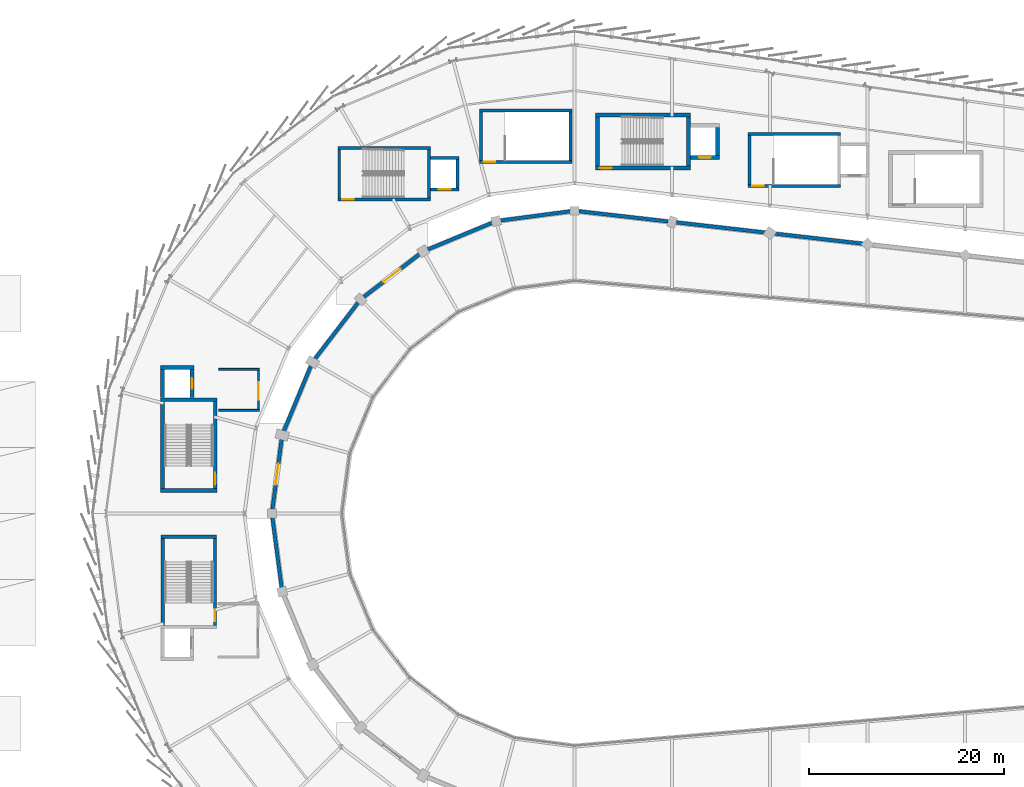
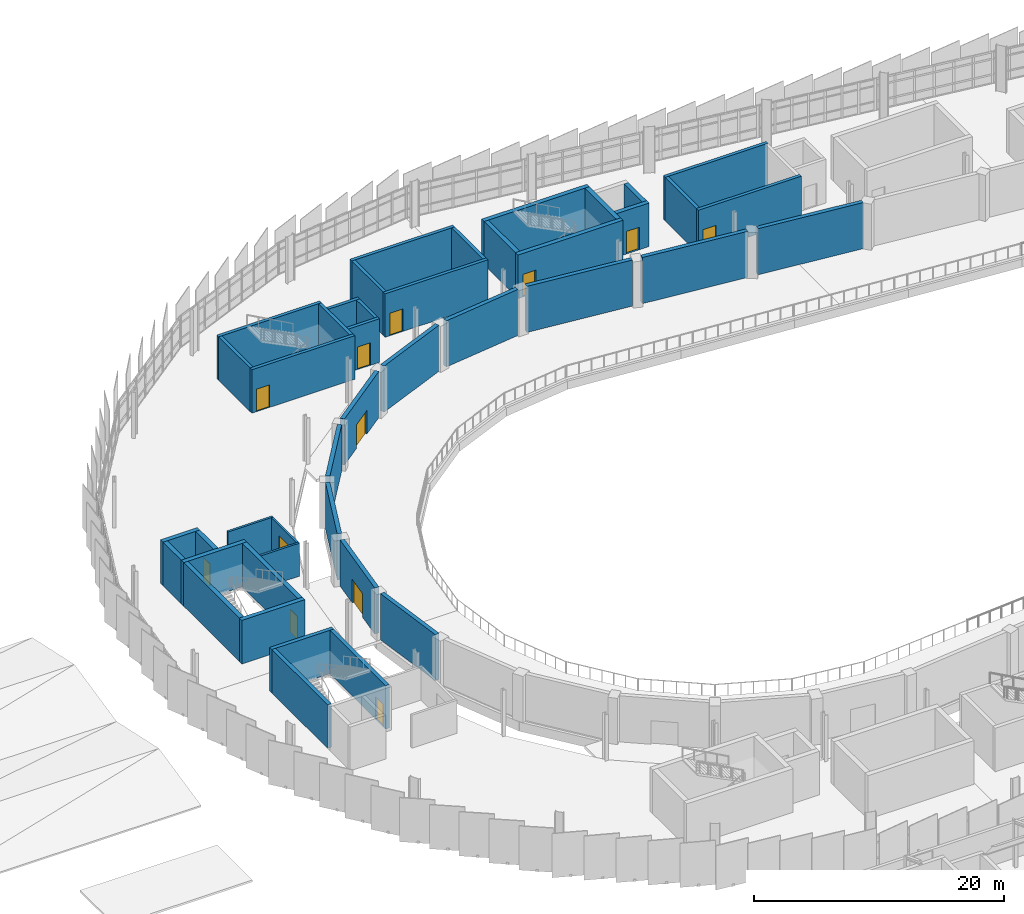
# One storey, part 77 of 87: 43 walls, 12 doors, 12 openings.
"""IFC4 building model written with IfcOpenShell, lengths in metres."""

from ifc_helpers import new_model, si_unit, direction, frame, frame_2d, origin, place, context, subcontext, project, spatial, rectangle, extrude, material, layer, layer_set, type_object, element, fill, save


model = new_model("IFC4")

# Units and contexts
model_context = context("Model", 3, precision=1e-05, world=origin(), true_north=direction((0.0, 1.0)))
body_context = subcontext(model_context, "Body", "Model", "MODEL_VIEW")
ifc_project = project(units=[si_unit("LENGTHUNIT", "METRE"), si_unit("AREAUNIT", "SQUARE_METRE"), si_unit("VOLUMEUNIT", "CUBIC_METRE"), si_unit("PLANEANGLEUNIT", "RADIAN"), si_unit("MASSUNIT", "GRAM", prefix="KILO")], contexts=[model_context])

# Site, building, storey
site_placement = place(None, origin())
site = spatial("IfcSite", under=ifc_project, at=site_placement, CompositionType="ELEMENT")
building_placement = place(site_placement, origin())
building = spatial("IfcBuilding", under=site, at=building_placement, Name="Sohan Crest Arena", CompositionType="ELEMENT")
storey_placement = place(building_placement, frame((0.0, 0.0, 18.0)))
storey = spatial("IfcBuildingStorey", under=building, at=storey_placement, Name="L04", CompositionType="ELEMENT", Elevation=18.0)

# Walls
ifc_material_1 = material(Name="Acoustic insulated bowl drum enclosure wall", Category="masonry")
ifc_layer_1 = layer(ifc_material_1, 0.3701171875, Name="Acoustic insulated bowl drum enclosure wall")
ifc_layer_set_1 = layer_set([ifc_layer_1], Name="Acoustic insulated bowl drum enclosure wall")
wall_type_1 = type_object("IfcWallType", Name="WAL-EW05", PredefinedType="SOLIDWALL", material=ifc_layer_set_1)
wall_1_placement = place(storey_placement, frame((97.56396484375, 108.943115234375, 0.0), z_axis=(0.0, 0.0, 1.0), x_axis=(-0.991432160885, -0.130622625772, 0.0)))
element("IfcWall", 1, at=wall_1_placement, inside=storey, type_object=wall_type_1, Name="Acoustic bowl drum wall BW-L04-01", PredefinedType="SOLIDWALL", context=body_context, shape_type="SweptSolid", body=[
    extrude(rectangle(XDim=7.212646484375, YDim=0.3701171875, at=frame_2d((3.6064453125, 0.0))), origin(), (0.0, 0.0, 1.0), 4.5),
])
wall_2_placement = place(storey_placement, frame((89.570068359375, 107.77587890625, 0.0), z_axis=(0.0, 0.0, 1.0), x_axis=(-0.923828261086, -0.382807189089, 0.0)))
element("IfcWall", 2, at=wall_2_placement, inside=storey, type_object=wall_type_1, Name="Acoustic bowl drum wall BW-L04-02", PredefinedType="SOLIDWALL", context=body_context, shape_type="SweptSolid", body=[
    extrude(rectangle(XDim=7.21240234375, YDim=0.3701171875, at=frame_2d((3.606201171875, 0.0))), origin(), (0.0, 0.0, 1.0), 4.5),
])

# Wall, opening, door
wall_3_placement = place(storey_placement, frame((82.15087890625, 104.5791015625, 0.0), z_axis=(0.0, 0.0, 1.0), x_axis=(-0.793318070515, -0.608807390719, 0.0)))
wall_3 = element("IfcWall", 3, at=wall_3_placement, inside=storey, type_object=wall_type_1, Name="Acoustic bowl drum wall BW-L04-03", PredefinedType="SOLIDWALL", context=body_context, shape_type="SweptSolid", body=[
    extrude(rectangle(XDim=7.212646484375, YDim=0.3701171875, at=frame_2d((3.6064453125, 0.0))), origin(), (0.0, 0.0, 1.0), 4.5),
])
opening_1_placement = place(wall_3_placement, frame((2.506103515625, 0.0, 0.0)))
opening_1 = element("IfcOpeningElement", 4, at=opening_1_placement, cuts=wall_3, Name="Opening VD-L04-03", PredefinedType="OPENING", context=body_context, shape_type="SweptSolid", body=[
    extrude(rectangle(XDim=2.199951171875, YDim=2.300048828125, at=frame_2d((1.10009765625, 1.14990234375))), frame((0.0, 0.195068359375, 0.0), z_axis=(0.0, -1.0, 0.0), x_axis=(1.0, 0.0, 0.0)), (0.0, 0.0, 1.0), 0.39013671875),
])
ifc_material_2 = material(Name="Fire-rated steel double escape door", Category="steel")
door_type_1 = type_object("IfcDoorType", Name="DR-FD01", OperationType="DOUBLE_DOOR_SINGLE_SWING", PredefinedType="DOOR", material=ifc_material_2)
door_1_placement = place(opening_1_placement, origin())
door_1 = element("IfcDoor", 5, at=door_1_placement, inside=storey, type_object=door_type_1, Name="Bowl vomitory portal fire door VD-L04-03", OperationType="DOUBLE_DOOR_SINGLE_SWING", OverallHeight=2.300048828125, OverallWidth=2.199951171875, PredefinedType="DOOR", context=body_context, shape_type="SweptSolid", body=[
    extrude(rectangle(XDim=2.199951171875, YDim=2.300048828125, at=frame_2d((1.10009765625, 1.14990234375))), frame((0.0, 0.02490234375, 0.0), z_axis=(0.0, -1.0, 0.0), x_axis=(1.0, 0.0, 0.0)), (0.0, 0.0, 1.0), 0.050048828125),
])
fill(opening_1, door_1)

# Walls
wall_4_placement = place(storey_placement, frame((75.81201171875, 99.571044921875, 0.0), z_axis=(0.0, 0.0, 1.0), x_axis=(-0.608807390719, -0.793318070515, 0.0)))
element("IfcWall", 6, at=wall_4_placement, inside=storey, type_object=wall_type_1, Name="Acoustic bowl drum wall BW-L04-04", PredefinedType="SOLIDWALL", context=body_context, shape_type="SweptSolid", body=[
    extrude(rectangle(XDim=7.212646484375, YDim=0.3701171875, at=frame_2d((3.6064453125, 0.0))), origin(), (0.0, 0.0, 1.0), 4.5),
])
wall_5_placement = place(storey_placement, frame((70.985107421875, 93.093017578125, 0.0), z_axis=(0.0, 0.0, 1.0), x_axis=(-0.382807189089, -0.923828261086, 0.0)))
element("IfcWall", 7, at=wall_5_placement, inside=storey, type_object=wall_type_1, Name="Acoustic bowl drum wall BW-L04-05", PredefinedType="SOLIDWALL", context=body_context, shape_type="SweptSolid", body=[
    extrude(rectangle(XDim=7.21240234375, YDim=0.3701171875, at=frame_2d((3.606201171875, 0.0))), origin(), (0.0, 0.0, 1.0), 4.5),
])

# Wall, opening, door
wall_6_placement = place(storey_placement, frame((67.9990234375, 85.5869140625, 0.0), z_axis=(0.0, 0.0, 1.0), x_axis=(-0.130622625772, -0.991432160885, 0.0)))
wall_6 = element("IfcWall", 8, at=wall_6_placement, inside=storey, type_object=wall_type_1, Name="Acoustic bowl drum wall BW-L04-06", PredefinedType="SOLIDWALL", context=body_context, shape_type="SweptSolid", body=[
    extrude(rectangle(XDim=7.212646484375, YDim=0.3701171875, at=frame_2d((3.6064453125, 0.0))), origin(), (0.0, 0.0, 1.0), 4.5),
])
opening_2_placement = place(wall_6_placement, frame((2.506103515625, 0.0, 0.0)))
opening_2 = element("IfcOpeningElement", 9, at=opening_2_placement, cuts=wall_6, Name="Opening VD-L04-06", PredefinedType="OPENING", context=body_context, shape_type="SweptSolid", body=[
    extrude(rectangle(XDim=2.199951171875, YDim=2.300048828125, at=frame_2d((1.10009765625, 1.14990234375))), frame((0.0, 0.195068359375, 0.0), z_axis=(0.0, -1.0, 0.0), x_axis=(1.0, 0.0, 0.0)), (0.0, 0.0, 1.0), 0.39013671875),
])
door_2_placement = place(opening_2_placement, origin())
door_2 = element("IfcDoor", 10, at=door_2_placement, inside=storey, type_object=door_type_1, Name="Bowl vomitory portal fire door VD-L04-06", OperationType="DOUBLE_DOOR_SINGLE_SWING", OverallHeight=2.300048828125, OverallWidth=2.199951171875, PredefinedType="DOOR", context=body_context, shape_type="SweptSolid", body=[
    extrude(rectangle(XDim=2.199951171875, YDim=2.300048828125, at=frame_2d((1.10009765625, 1.14990234375))), frame((0.0, 0.02490234375, 0.0), z_axis=(0.0, -1.0, 0.0), x_axis=(1.0, 0.0, 0.0)), (0.0, 0.0, 1.0), 0.050048828125),
])
fill(opening_2, door_2)

# Walls
wall_7_placement = place(storey_placement, frame((67.056884765625, 77.56396484375, 0.0), z_axis=(0.0, 0.0, 1.0), x_axis=(0.130622625772, -0.991432160885, 0.0)))
element("IfcWall", 11, at=wall_7_placement, inside=storey, type_object=wall_type_1, Name="Acoustic bowl drum wall BW-L04-07", PredefinedType="SOLIDWALL", context=body_context, shape_type="SweptSolid", body=[
    extrude(rectangle(XDim=7.212646484375, YDim=0.3701171875, at=frame_2d((3.6064453125, 0.0))), origin(), (0.0, 0.0, 1.0), 4.5),
])
for number, where, z_axis, x_axis, name in (
    (12, (127.56298828125, 105.62109375, 0.0), (0.0, 0.0, 1.0), (-0.993532672656, 0.113546591161, 0.0), "Acoustic bowl drum wall BW-L04-32"),
    (13, (117.56298828125, 106.763916015625, 0.0), (0.0, 0.0, 1.0), (-0.993532672656, 0.113546591161, 0.0), "Acoustic bowl drum wall BW-L04-33"),
    (14, (107.56298828125, 107.906982421875, 0.0), (0.0, 0.0, 1.0), (-0.993532672656, 0.113546591161, 0.0), "Acoustic bowl drum wall BW-L04-34"),
):
    element("IfcWall", number, at=place(storey_placement, frame(where, z_axis=z_axis, x_axis=x_axis)), inside=storey, type_object=wall_type_1, Name=name, PredefinedType="SOLIDWALL", context=body_context, shape_type="SweptSolid", body=[
        extrude(rectangle(XDim=9.185302734375, YDim=0.3701171875, at=frame_2d((4.5927734375, 0.0))), origin(), (0.0, 0.0, 1.0), 4.5),
    ])
ifc_material_3 = material(Name="Fire-rated masonry blockwork compartment wall", Category="masonry")
ifc_layer_2 = layer(ifc_material_3, 0.199951171875, Name="Fire-rated masonry blockwork compartment wall")
ifc_layer_set_2 = layer_set([ifc_layer_2], Name="Fire-rated masonry blockwork compartment wall")
wall_type_2 = type_object("IfcWallType", Name="WAL-FW01", PredefinedType="PARTITIONING", material=ifc_layer_set_2)
for number, where, z_axis, x_axis, name in (
    (15, (61.5400390625, 88.550048828125, 0.0), (0.0, 0.0, 1.0), (1.0, 0.0, 0.0), "Interior partition wall PW-0128"),
    (16, (61.5400390625, 92.75, 0.0), (0.0, 0.0, 1.0), (1.0, 0.0, 0.0), "Interior partition wall PW-0129"),
):
    element("IfcWall", number, at=place(storey_placement, frame(where, z_axis=z_axis, x_axis=x_axis)), inside=storey, type_object=wall_type_2, Name=name, PredefinedType="PARTITIONING", context=body_context, shape_type="SweptSolid", body=[
        extrude(rectangle(XDim=4.179931640625, YDim=0.199951171875, at=frame_2d((2.08984375, 0.0))), origin(), (0.0, 0.0, 1.0), 3.219970703125),
    ])

# Wall, opening, door
wall_8_placement = place(storey_placement, frame((65.6201171875, 88.669921875, 0.0), z_axis=(0.0, 0.0, 1.0), x_axis=(0.0, 1.0, 0.0)))
wall_8 = element("IfcWall", 17, at=wall_8_placement, inside=storey, type_object=wall_type_2, Name="Interior partition wall PW-0130", PredefinedType="PARTITIONING", context=body_context, shape_type="SweptSolid", body=[
    extrude(rectangle(XDim=3.9599609375, YDim=0.199951171875, at=frame_2d((1.97998046875, 0.0))), origin(), (0.0, 0.0, 1.0), 3.219970703125),
])
opening_3_placement = place(wall_8_placement, frame((0.949951171875, 0.0, 0.0)))
opening_3 = element("IfcOpeningElement", 18, at=opening_3_placement, cuts=wall_8, Name="Opening FFL-0039", PredefinedType="OPENING", context=body_context, shape_type="SweptSolid", body=[
    extrude(rectangle(XDim=1.800048828125, YDim=2.199951171875, at=frame_2d((0.89990234375, 1.10009765625))), frame((0.0, 0.10986328125, 0.0), z_axis=(0.0, -1.0, 0.0), x_axis=(1.0, 0.0, 0.0)), (0.0, 0.0, 1.0), 0.219970703125),
])
ifc_material_4 = material(Name="Fire-rated timber-faced lobby double door", Category="wood")
door_type_2 = type_object("IfcDoorType", Name="DR-FD03", OperationType="DOUBLE_DOOR_SINGLE_SWING", PredefinedType="DOOR", material=ifc_material_4)
door_3_placement = place(opening_3_placement, origin())
door_3 = element("IfcDoor", 19, at=door_3_placement, inside=storey, type_object=door_type_2, Name="Firefighting lift lobby door FL02 FFL-0039", OperationType="DOUBLE_DOOR_SINGLE_SWING", OverallHeight=2.199951171875, OverallWidth=1.800048828125, PredefinedType="DOOR", context=body_context, shape_type="SweptSolid", body=[
    extrude(rectangle(XDim=1.800048828125, YDim=2.199951171875, at=frame_2d((0.89990234375, 1.10009765625))), frame((0.0, 0.02490234375, 0.0), z_axis=(0.0, -1.0, 0.0), x_axis=(1.0, 0.0, 0.0)), (0.0, 0.0, 1.0), 0.050048828125),
])
fill(opening_3, door_3)

# Walls
ifc_material_5 = material(Name="Concrete C40/50", Category="concrete")
ifc_layer_3 = layer(ifc_material_5, 0.300048828125, Name="Concrete C40/50")
ifc_layer_set_3 = layer_set([ifc_layer_3], Name="Concrete C40/50")
wall_type_3 = type_object("IfcWallType", Name="WAL-SW01", PredefinedType="SHEAR", material=ifc_layer_set_3)
for number, where, z_axis, x_axis, name in (
    (20, (73.89990234375, 110.300048828125, 0.0), (0.0, 0.0, 1.0), (0.0, 1.0, 0.0), "Core shear wall SW-0225"),
    (21, (83.10009765625, 110.300048828125, 0.0), (0.0, 0.0, 1.0), (0.0, 1.0, 0.0), "Core shear wall SW-0226"),
):
    element("IfcWall", number, at=place(storey_placement, frame(where, z_axis=z_axis, x_axis=x_axis)), inside=storey, type_object=wall_type_3, Name=name, PredefinedType="SHEAR", context=body_context, shape_type="SweptSolid", body=[
        extrude(rectangle(XDim=5.0, YDim=0.300048828125, at=frame_2d((2.5, 0.0))), origin(), (0.0, 0.0, 1.0), 4.25),
    ])

# Wall, opening, door
wall_9_placement = place(storey_placement, frame((73.75, 110.14990234375, 0.0), z_axis=(0.0, 0.0, 1.0), x_axis=(1.0, 0.0, 0.0)))
wall_9 = element("IfcWall", 22, at=wall_9_placement, inside=storey, type_object=wall_type_3, Name="Core shear wall SW-0227", PredefinedType="SHEAR", context=body_context, shape_type="SweptSolid", body=[
    extrude(rectangle(XDim=9.5, YDim=0.300048828125, at=frame_2d((4.75, 0.0))), origin(), (0.0, 0.0, 1.0), 4.25),
])
opening_4_placement = place(wall_9_placement, frame((0.449951171875, 0.0, 0.0)))
opening_4 = element("IfcOpeningElement", 23, at=opening_4_placement, cuts=wall_9, Name="Opening SD-0067", PredefinedType="OPENING", context=body_context, shape_type="SweptSolid", body=[
    extrude(rectangle(XDim=1.199951171875, YDim=2.199951171875, at=frame_2d((0.60009765625, 1.10009765625))), frame((0.0, 0.159912109375, 0.0), z_axis=(0.0, -1.0, 0.0), x_axis=(1.0, 0.0, 0.0)), (0.0, 0.0, 1.0), 0.320068359375),
])
ifc_material_6 = material(Name="Fire-rated steel stair and lobby door", Category="steel")
door_type_3 = type_object("IfcDoorType", Name="DR-FD04", OperationType="NOTDEFINED", PredefinedType="DOOR", material=ifc_material_6)
door_4_placement = place(opening_4_placement, frame((1.199951171875, 0.0, 0.0), z_axis=(0.0, 0.0, 1.0), x_axis=(-1.0, 0.0, 0.0)))
door_4 = element("IfcDoor", 24, at=door_4_placement, inside=storey, type_object=door_type_3, Name="Protected stair door SD-0067", OperationType="SINGLE_SWING_LEFT", OverallHeight=2.199951171875, OverallWidth=1.199951171875, PredefinedType="DOOR", context=body_context, shape_type="SweptSolid", body=[
    extrude(rectangle(XDim=1.199951171875, YDim=2.199951171875, at=frame_2d((0.60009765625, 1.10009765625))), frame((0.0, 0.02490234375, 0.0), z_axis=(0.0, -1.0, 0.0), x_axis=(1.0, 0.0, 0.0)), (0.0, 0.0, 1.0), 0.050048828125),
])
fill(opening_4, door_4)

# Walls
wall_10_placement = place(storey_placement, frame((73.75, 115.449951171875, 0.0), z_axis=(0.0, 0.0, 1.0), x_axis=(1.0, 0.0, 0.0)))
element("IfcWall", 25, at=wall_10_placement, inside=storey, type_object=wall_type_3, Name="Core shear wall SW-0228", PredefinedType="SHEAR", context=body_context, shape_type="SweptSolid", body=[
    extrude(rectangle(XDim=9.5, YDim=0.300048828125, at=frame_2d((4.75, 0.0))), origin(), (0.0, 0.0, 1.0), 4.25),
])
wall_11_placement = place(storey_placement, frame((86.0, 111.35009765625, 0.0), z_axis=(0.0, 0.0, 1.0), x_axis=(0.0, 1.0, 0.0)))
element("IfcWall", 26, at=wall_11_placement, inside=storey, type_object=wall_type_3, Name="Core shear wall SW-0229", PredefinedType="SHEAR", context=body_context, shape_type="SweptSolid", body=[
    extrude(rectangle(XDim=2.89990234375, YDim=0.300048828125, at=frame_2d((1.449951171875, 0.0))), origin(), (0.0, 0.0, 1.0), 4.25),
])

# Wall, opening, door
wall_12_placement = place(storey_placement, frame((83.25, 111.199951171875, 0.0), z_axis=(0.0, 0.0, 1.0), x_axis=(1.0, 0.0, 0.0)))
wall_12 = element("IfcWall", 27, at=wall_12_placement, inside=storey, type_object=wall_type_3, Name="Core shear wall SW-0230", PredefinedType="SHEAR", context=body_context, shape_type="SweptSolid", body=[
    extrude(rectangle(XDim=2.89990234375, YDim=0.300048828125, at=frame_2d((1.449951171875, 0.0))), origin(), (0.0, 0.0, 1.0), 4.25),
])
opening_5_placement = place(wall_12_placement, frame((0.85009765625, 0.0, 0.0)))
opening_5 = element("IfcOpeningElement", 28, at=opening_5_placement, cuts=wall_12, Name="Opening LD-LP02-L04", PredefinedType="OPENING", context=body_context, shape_type="SweptSolid", body=[
    extrude(rectangle(XDim=1.199951171875, YDim=2.199951171875, at=frame_2d((0.60009765625, 1.10009765625))), frame((0.0, 0.159912109375, 0.0), z_axis=(0.0, -1.0, 0.0), x_axis=(1.0, 0.0, 0.0)), (0.0, 0.0, 1.0), 0.320068359375),
])
ifc_material_7 = material(Name="Stainless steel passenger lift landing door", Category="steel")
door_type_4 = type_object("IfcDoorType", Name="DR-LD02", OperationType="SLIDING_TO_LEFT", PredefinedType="DOOR", material=ifc_material_7)
door_5_placement = place(opening_5_placement, origin())
door_5 = element("IfcDoor", 29, at=door_5_placement, inside=storey, type_object=door_type_4, Name="Sliding lift landing door LD-LP02-L04", OperationType="SLIDING_TO_LEFT", OverallHeight=2.199951171875, OverallWidth=1.199951171875, PredefinedType="DOOR", context=body_context, shape_type="SweptSolid", body=[
    extrude(rectangle(XDim=1.199951171875, YDim=2.199951171875, at=frame_2d((0.60009765625, 1.10009765625))), frame((0.0, 0.02490234375, 0.0), z_axis=(0.0, -1.0, 0.0), x_axis=(1.0, 0.0, 0.0)), (0.0, 0.0, 1.0), 0.050048828125),
])
fill(opening_5, door_5)

# Walls
wall_13_placement = place(storey_placement, frame((83.25, 114.39990234375, 0.0), z_axis=(0.0, 0.0, 1.0), x_axis=(1.0, 0.0, 0.0)))
element("IfcWall", 30, at=wall_13_placement, inside=storey, type_object=wall_type_3, Name="Core shear wall SW-0231", PredefinedType="SHEAR", context=body_context, shape_type="SweptSolid", body=[
    extrude(rectangle(XDim=2.89990234375, YDim=0.300048828125, at=frame_2d((1.449951171875, 0.0))), origin(), (0.0, 0.0, 1.0), 4.25),
])
wall_14_placement = place(storey_placement, frame((115.89990234375, 111.699951171875, 0.0), z_axis=(0.0, 0.0, 1.0), x_axis=(0.0, 1.0, 0.0)))
element("IfcWall", 31, at=wall_14_placement, inside=storey, type_object=wall_type_3, Name="Core shear wall SW-0402", PredefinedType="SHEAR", context=body_context, shape_type="SweptSolid", body=[
    extrude(rectangle(XDim=5.0, YDim=0.300048828125, at=frame_2d((2.5, 0.0))), origin(), (0.0, 0.0, 1.0), 4.25),
])

# Wall, opening, door
wall_15_placement = place(storey_placement, frame((115.75, 111.550048828125, 0.0), z_axis=(0.0, 0.0, 1.0), x_axis=(1.0, 0.0, 0.0)))
wall_15 = element("IfcWall", 32, at=wall_15_placement, inside=storey, type_object=wall_type_3, Name="Core shear wall SW-0404", PredefinedType="SHEAR", context=body_context, shape_type="SweptSolid", body=[
    extrude(rectangle(XDim=9.5, YDim=0.300048828125, at=frame_2d((4.75, 0.0))), origin(), (0.0, 0.0, 1.0), 4.25),
])
opening_6_placement = place(wall_15_placement, frame((0.449951171875, 0.0, 0.0)))
opening_6 = element("IfcOpeningElement", 33, at=opening_6_placement, cuts=wall_15, Name="Opening SD-0113", PredefinedType="OPENING", context=body_context, shape_type="SweptSolid", body=[
    extrude(rectangle(XDim=1.199951171875, YDim=2.199951171875, at=frame_2d((0.60009765625, 1.10009765625))), frame((0.0, 0.159912109375, 0.0), z_axis=(0.0, -1.0, 0.0), x_axis=(1.0, 0.0, 0.0)), (0.0, 0.0, 1.0), 0.320068359375),
])
door_6_placement = place(opening_6_placement, frame((1.199951171875, 0.0, 0.0), z_axis=(0.0, 0.0, 1.0), x_axis=(-1.0, 0.0, 0.0)))
door_6 = element("IfcDoor", 34, at=door_6_placement, inside=storey, type_object=door_type_3, Name="Protected stair door SD-0113", OperationType="SINGLE_SWING_RIGHT", OverallHeight=2.199951171875, OverallWidth=1.199951171875, PredefinedType="DOOR", context=body_context, shape_type="SweptSolid", body=[
    extrude(rectangle(XDim=1.199951171875, YDim=2.199951171875, at=frame_2d((0.60009765625, 1.10009765625))), frame((0.0, 0.02490234375, 0.0), z_axis=(0.0, -1.0, 0.0), x_axis=(1.0, 0.0, 0.0)), (0.0, 0.0, 1.0), 0.050048828125),
])
fill(opening_6, door_6)

# Walls
wall_16_placement = place(storey_placement, frame((115.75, 116.85009765625, 0.0), z_axis=(0.0, 0.0, 1.0), x_axis=(1.0, 0.0, 0.0)))
element("IfcWall", 35, at=wall_16_placement, inside=storey, type_object=wall_type_3, Name="Core shear wall SW-0405", PredefinedType="SHEAR", context=body_context, shape_type="SweptSolid", body=[
    extrude(rectangle(XDim=9.5, YDim=0.300048828125, at=frame_2d((4.75, 0.0))), origin(), (0.0, 0.0, 1.0), 4.25),
])
for number, where, z_axis, x_axis, name in (
    (36, (88.39990234375, 114.139892578125, 0.0), (0.0, 0.0, 1.0), (0.0, 1.0, 0.0), "Core shear wall SW-0777"),
    (37, (97.60009765625, 114.139892578125, 0.0), (0.0, 0.0, 1.0), (0.0, 1.0, 0.0), "Core shear wall SW-0778"),
):
    element("IfcWall", number, at=place(storey_placement, frame(where, z_axis=z_axis, x_axis=x_axis)), inside=storey, type_object=wall_type_3, Name=name, PredefinedType="SHEAR", context=body_context, shape_type="SweptSolid", body=[
        extrude(rectangle(XDim=5.0, YDim=0.300048828125, at=frame_2d((2.5, 0.0))), origin(), (0.0, 0.0, 1.0), 4.25),
    ])

# Wall, opening, door
wall_17_placement = place(storey_placement, frame((88.25, 113.989990234375, 0.0), z_axis=(0.0, 0.0, 1.0), x_axis=(1.0, 0.0, 0.0)))
wall_17 = element("IfcWall", 38, at=wall_17_placement, inside=storey, type_object=wall_type_3, Name="Core shear wall SW-0779", PredefinedType="SHEAR", context=body_context, shape_type="SweptSolid", body=[
    extrude(rectangle(XDim=9.5, YDim=0.300048828125, at=frame_2d((4.75, 0.0))), origin(), (0.0, 0.0, 1.0), 4.25),
])
opening_7_placement = place(wall_17_placement, frame((0.449951171875, 0.0, 0.0)))
opening_7 = element("IfcOpeningElement", 39, at=opening_7_placement, cuts=wall_17, Name="Opening SD-0210", PredefinedType="OPENING", context=body_context, shape_type="SweptSolid", body=[
    extrude(rectangle(XDim=1.199951171875, YDim=2.199951171875, at=frame_2d((0.60009765625, 1.10009765625))), frame((0.0, 0.159912109375, 0.0), z_axis=(0.0, -1.0, 0.0), x_axis=(1.0, 0.0, 0.0)), (0.0, 0.0, 1.0), 0.320068359375),
])
door_7_placement = place(opening_7_placement, frame((1.199951171875, 0.0, 0.0), z_axis=(0.0, 0.0, 1.0), x_axis=(-1.0, 0.0, 0.0)))
door_7 = element("IfcDoor", 40, at=door_7_placement, inside=storey, type_object=door_type_3, Name="Protected stair door SD-0210", OperationType="SINGLE_SWING_RIGHT", OverallHeight=2.199951171875, OverallWidth=1.199951171875, PredefinedType="DOOR", context=body_context, shape_type="SweptSolid", body=[
    extrude(rectangle(XDim=1.199951171875, YDim=2.199951171875, at=frame_2d((0.60009765625, 1.10009765625))), frame((0.0, 0.02490234375, 0.0), z_axis=(0.0, -1.0, 0.0), x_axis=(1.0, 0.0, 0.0)), (0.0, 0.0, 1.0), 0.050048828125),
])
fill(opening_7, door_7)

# Walls
wall_18_placement = place(storey_placement, frame((88.25, 119.2900390625, 0.0), z_axis=(0.0, 0.0, 1.0), x_axis=(1.0, 0.0, 0.0)))
element("IfcWall", 41, at=wall_18_placement, inside=storey, type_object=wall_type_3, Name="Core shear wall SW-0780", PredefinedType="SHEAR", context=body_context, shape_type="SweptSolid", body=[
    extrude(rectangle(XDim=9.5, YDim=0.300048828125, at=frame_2d((4.75, 0.0))), origin(), (0.0, 0.0, 1.0), 4.25),
])
ifc_layer_4 = layer(ifc_material_5, 0.35009765625, Name="Concrete C40/50")
ifc_layer_set_4 = layer_set([ifc_layer_4], Name="Concrete C40/50")
wall_type_4 = type_object("IfcWallType", Name="WAL-SW02", PredefinedType="SHEAR", material=ifc_layer_set_4)
wall_19_placement = place(storey_placement, frame((55.64990234375, 75.625, 0.0), z_axis=(0.0, 0.0, 1.0), x_axis=(1.0, 0.0, 0.0)))
element("IfcWall", 42, at=wall_19_placement, inside=storey, type_object=wall_type_4, Name="Core shear wall SW-0052", PredefinedType="SHEAR", context=body_context, shape_type="SweptSolid", body=[
    extrude(rectangle(XDim=5.7001953125, YDim=0.35009765625, at=frame_2d((2.85009765625, 0.0))), origin(), (0.0, 0.0, 1.0), 4.25),
])
wall_20_placement = place(storey_placement, frame((55.824951171875, 66.550048828125, 0.0), z_axis=(0.0, 0.0, 1.0), x_axis=(0.0, 1.0, 0.0)))
element("IfcWall", 43, at=wall_20_placement, inside=storey, type_object=wall_type_4, Name="Core shear wall SW-0053", PredefinedType="SHEAR", context=body_context, shape_type="SweptSolid", body=[
    extrude(rectangle(XDim=8.89990234375, YDim=0.35009765625, at=frame_2d((4.449951171875, 0.0))), origin(), (0.0, 0.0, 1.0), 4.25),
])

# Wall, opening, door
wall_21_placement = place(storey_placement, frame((61.175048828125, 66.550048828125, 0.0), z_axis=(0.0, 0.0, 1.0), x_axis=(0.0, 1.0, 0.0)))
wall_21 = element("IfcWall", 44, at=wall_21_placement, inside=storey, type_object=wall_type_4, Name="Core shear wall SW-0054", PredefinedType="SHEAR", context=body_context, shape_type="SweptSolid", body=[
    extrude(rectangle(XDim=8.89990234375, YDim=0.35009765625, at=frame_2d((4.449951171875, 0.0))), origin(), (0.0, 0.0, 1.0), 4.25),
])
opening_8_placement = place(wall_21_placement, frame((0.39990234375, 0.0, 0.0)))
opening_8 = element("IfcOpeningElement", 45, at=opening_8_placement, cuts=wall_21, Name="Opening SD-0016", PredefinedType="OPENING", context=body_context, shape_type="SweptSolid", body=[
    extrude(rectangle(XDim=1.199951171875, YDim=2.199951171875, at=frame_2d((0.60009765625, 1.10009765625))), frame((0.0, 0.18505859375, 0.0), z_axis=(0.0, -1.0, 0.0), x_axis=(1.0, 0.0, 0.0)), (0.0, 0.0, 1.0), 0.3701171875),
])
door_8_placement = place(opening_8_placement, origin())
door_8 = element("IfcDoor", 46, at=door_8_placement, inside=storey, type_object=door_type_3, Name="Protected stair door SD-0016", OperationType="SINGLE_SWING_LEFT", OverallHeight=2.199951171875, OverallWidth=1.199951171875, PredefinedType="DOOR", context=body_context, shape_type="SweptSolid", body=[
    extrude(rectangle(XDim=1.199951171875, YDim=2.199951171875, at=frame_2d((0.60009765625, 1.10009765625))), frame((0.0, 0.02490234375, 0.0), z_axis=(0.0, -1.0, 0.0), x_axis=(1.0, 0.0, 0.0)), (0.0, 0.0, 1.0), 0.050048828125),
])
fill(opening_8, door_8)

# Walls
ifc_layer_5 = layer(ifc_material_5, 0.39990234375, Name="Concrete C40/50")
ifc_layer_set_5 = layer_set([ifc_layer_5], Name="Concrete C40/50")
wall_type_5 = type_object("IfcWallType", Name="WAL-SW03", PredefinedType="SHEAR", material=ifc_layer_set_5)
for number, where, z_axis, x_axis, name in (
    (47, (55.60009765625, 80.35009765625, 0.0), (0.0, 0.0, 1.0), (1.0, 0.0, 0.0), "Core shear wall SW-0121"),
    (48, (55.60009765625, 89.64990234375, 0.0), (0.0, 0.0, 1.0), (1.0, 0.0, 0.0), "Core shear wall SW-0122"),
):
    element("IfcWall", number, at=place(storey_placement, frame(where, z_axis=z_axis, x_axis=x_axis)), inside=storey, type_object=wall_type_5, Name=name, PredefinedType="SHEAR", context=body_context, shape_type="SweptSolid", body=[
        extrude(rectangle(XDim=5.7998046875, YDim=0.39990234375, at=frame_2d((2.89990234375, 0.0))), origin(), (0.0, 0.0, 1.0), 4.25),
    ])
wall_22_placement = place(storey_placement, frame((55.800048828125, 80.550048828125, 0.0), z_axis=(0.0, 0.0, 1.0), x_axis=(0.0, 1.0, 0.0)))
element("IfcWall", 49, at=wall_22_placement, inside=storey, type_object=wall_type_5, Name="Core shear wall SW-0123", PredefinedType="SHEAR", context=body_context, shape_type="SweptSolid", body=[
    extrude(rectangle(XDim=8.89990234375, YDim=0.39990234375, at=frame_2d((4.449951171875, 0.0))), origin(), (0.0, 0.0, 1.0), 4.25),
])

# Wall, opening, door
wall_23_placement = place(storey_placement, frame((61.199951171875, 80.550048828125, 0.0), z_axis=(0.0, 0.0, 1.0), x_axis=(0.0, 1.0, 0.0)))
wall_23 = element("IfcWall", 50, at=wall_23_placement, inside=storey, type_object=wall_type_5, Name="Core shear wall SW-0124", PredefinedType="SHEAR", context=body_context, shape_type="SweptSolid", body=[
    extrude(rectangle(XDim=8.89990234375, YDim=0.39990234375, at=frame_2d((4.449951171875, 0.0))), origin(), (0.0, 0.0, 1.0), 4.25),
])
opening_9_placement = place(wall_23_placement, frame((0.39990234375, 0.0, 0.0)))
opening_9 = element("IfcOpeningElement", 51, at=opening_9_placement, cuts=wall_23, Name="Opening SD-0037", PredefinedType="OPENING", context=body_context, shape_type="SweptSolid", body=[
    extrude(rectangle(XDim=1.199951171875, YDim=2.199951171875, at=frame_2d((0.60009765625, 1.10009765625))), frame((0.0, 0.2099609375, 0.0), z_axis=(0.0, -1.0, 0.0), x_axis=(1.0, 0.0, 0.0)), (0.0, 0.0, 1.0), 0.419921875),
])
door_9_placement = place(opening_9_placement, origin())
door_9 = element("IfcDoor", 52, at=door_9_placement, inside=storey, type_object=door_type_3, Name="Protected stair door SD-0037", OperationType="SINGLE_SWING_LEFT", OverallHeight=2.199951171875, OverallWidth=1.199951171875, PredefinedType="DOOR", context=body_context, shape_type="SweptSolid", body=[
    extrude(rectangle(XDim=1.199951171875, YDim=2.199951171875, at=frame_2d((0.60009765625, 1.10009765625))), frame((0.0, 0.02490234375, 0.0), z_axis=(0.0, -1.0, 0.0), x_axis=(1.0, 0.0, 0.0)), (0.0, 0.0, 1.0), 0.050048828125),
])
fill(opening_9, door_9)

# Wall
wall_24_placement = place(storey_placement, frame((55.800048828125, 89.85009765625, 0.0), z_axis=(0.0, 0.0, 1.0), x_axis=(0.0, 1.0, 0.0)))
element("IfcWall", 53, at=wall_24_placement, inside=storey, type_object=wall_type_5, Name="Core shear wall SW-0125", PredefinedType="SHEAR", context=body_context, shape_type="SweptSolid", body=[
    extrude(rectangle(XDim=2.89990234375, YDim=0.39990234375, at=frame_2d((1.449951171875, 0.0))), origin(), (0.0, 0.0, 1.0), 4.25),
])

# Wall, opening, door
wall_25_placement = place(storey_placement, frame((58.800048828125, 89.85009765625, 0.0), z_axis=(0.0, 0.0, 1.0), x_axis=(0.0, 1.0, 0.0)))
wall_25 = element("IfcWall", 54, at=wall_25_placement, inside=storey, type_object=wall_type_5, Name="Core shear wall SW-0126", PredefinedType="SHEAR", context=body_context, shape_type="SweptSolid", body=[
    extrude(rectangle(XDim=2.89990234375, YDim=0.39990234375, at=frame_2d((1.449951171875, 0.0))), origin(), (0.0, 0.0, 1.0), 4.25),
])
opening_10_placement = place(wall_25_placement, frame((0.89990234375, 0.0, 0.0)))
opening_10 = element("IfcOpeningElement", 55, at=opening_10_placement, cuts=wall_25, Name="Opening LD-FL02-L04", PredefinedType="OPENING", context=body_context, shape_type="SweptSolid", body=[
    extrude(rectangle(XDim=1.10009765625, YDim=2.199951171875, at=frame_2d((0.550048828125, 1.10009765625))), frame((0.0, 0.2099609375, 0.0), z_axis=(0.0, -1.0, 0.0), x_axis=(1.0, 0.0, 0.0)), (0.0, 0.0, 1.0), 0.419921875),
])
ifc_material_8 = material(Name="Stainless steel firefighting lift landing door", Category="steel")
door_type_5 = type_object("IfcDoorType", Name="DR-LD01", OperationType="SLIDING_TO_LEFT", PredefinedType="DOOR", material=ifc_material_8)
door_10_placement = place(opening_10_placement, origin())
door_10 = element("IfcDoor", 56, at=door_10_placement, inside=storey, type_object=door_type_5, Name="Sliding lift landing door LD-FL02-L04", OperationType="SLIDING_TO_LEFT", OverallHeight=2.199951171875, OverallWidth=1.10009765625, PredefinedType="DOOR", context=body_context, shape_type="SweptSolid", body=[
    extrude(rectangle(XDim=1.10009765625, YDim=2.199951171875, at=frame_2d((0.550048828125, 1.10009765625))), frame((0.0, 0.02490234375, 0.0), z_axis=(0.0, -1.0, 0.0), x_axis=(1.0, 0.0, 0.0)), (0.0, 0.0, 1.0), 0.050048828125),
])
fill(opening_10, door_10)

# Walls
wall_26_placement = place(storey_placement, frame((55.60009765625, 92.949951171875, 0.0), z_axis=(0.0, 0.0, 1.0), x_axis=(1.0, 0.0, 0.0)))
element("IfcWall", 57, at=wall_26_placement, inside=storey, type_object=wall_type_5, Name="Core shear wall SW-0127", PredefinedType="SHEAR", context=body_context, shape_type="SweptSolid", body=[
    extrude(rectangle(XDim=3.39990234375, YDim=0.39990234375, at=frame_2d((1.699951171875, 0.0))), origin(), (0.0, 0.0, 1.0), 4.25),
])
for number, where, z_axis, x_axis, name in (
    (58, (100.35009765625, 113.60009765625, 0.0), (0.0, 0.0, 1.0), (0.0, 1.0, 0.0), "Core shear wall SW-0317"),
    (59, (109.64990234375, 113.60009765625, 0.0), (0.0, 0.0, 1.0), (0.0, 1.0, 0.0), "Core shear wall SW-0318"),
):
    element("IfcWall", number, at=place(storey_placement, frame(where, z_axis=z_axis, x_axis=x_axis)), inside=storey, type_object=wall_type_5, Name=name, PredefinedType="SHEAR", context=body_context, shape_type="SweptSolid", body=[
        extrude(rectangle(XDim=5.0, YDim=0.39990234375, at=frame_2d((2.5, 0.0))), origin(), (0.0, 0.0, 1.0), 4.25),
    ])

# Wall, opening, door
wall_27_placement = place(storey_placement, frame((100.14990234375, 113.39990234375, 0.0), z_axis=(0.0, 0.0, 1.0), x_axis=(1.0, 0.0, 0.0)))
wall_27 = element("IfcWall", 60, at=wall_27_placement, inside=storey, type_object=wall_type_5, Name="Core shear wall SW-0319", PredefinedType="SHEAR", context=body_context, shape_type="SweptSolid", body=[
    extrude(rectangle(XDim=9.7001953125, YDim=0.39990234375, at=frame_2d((4.85009765625, 0.0))), origin(), (0.0, 0.0, 1.0), 4.25),
])
opening_11_placement = place(wall_27_placement, frame((0.449951171875, 0.0, 0.0)))
opening_11 = element("IfcOpeningElement", 61, at=opening_11_placement, cuts=wall_27, Name="Opening SD-0091", PredefinedType="OPENING", context=body_context, shape_type="SweptSolid", body=[
    extrude(rectangle(XDim=1.199951171875, YDim=2.199951171875, at=frame_2d((0.60009765625, 1.10009765625))), frame((0.0, 0.2099609375, 0.0), z_axis=(0.0, -1.0, 0.0), x_axis=(1.0, 0.0, 0.0)), (0.0, 0.0, 1.0), 0.419921875),
])
door_11_placement = place(opening_11_placement, frame((1.199951171875, 0.0, 0.0), z_axis=(0.0, 0.0, 1.0), x_axis=(-1.0, 0.0, 0.0)))
door_11 = element("IfcDoor", 62, at=door_11_placement, inside=storey, type_object=door_type_3, Name="Protected stair door SD-0091", OperationType="SINGLE_SWING_LEFT", OverallHeight=2.199951171875, OverallWidth=1.199951171875, PredefinedType="DOOR", context=body_context, shape_type="SweptSolid", body=[
    extrude(rectangle(XDim=1.199951171875, YDim=2.199951171875, at=frame_2d((0.60009765625, 1.10009765625))), frame((0.0, 0.02490234375, 0.0), z_axis=(0.0, -1.0, 0.0), x_axis=(1.0, 0.0, 0.0)), (0.0, 0.0, 1.0), 0.050048828125),
])
fill(opening_11, door_11)

# Walls
wall_28_placement = place(storey_placement, frame((100.14990234375, 118.800048828125, 0.0), z_axis=(0.0, 0.0, 1.0), x_axis=(1.0, 0.0, 0.0)))
element("IfcWall", 63, at=wall_28_placement, inside=storey, type_object=wall_type_5, Name="Core shear wall SW-0320", PredefinedType="SHEAR", context=body_context, shape_type="SweptSolid", body=[
    extrude(rectangle(XDim=9.7001953125, YDim=0.39990234375, at=frame_2d((4.85009765625, 0.0))), origin(), (0.0, 0.0, 1.0), 4.25),
])
wall_29_placement = place(storey_placement, frame((112.64990234375, 114.64990234375, 0.0), z_axis=(0.0, 0.0, 1.0), x_axis=(0.0, 1.0, 0.0)))
element("IfcWall", 64, at=wall_29_placement, inside=storey, type_object=wall_type_5, Name="Core shear wall SW-0321", PredefinedType="SHEAR", context=body_context, shape_type="SweptSolid", body=[
    extrude(rectangle(XDim=2.900146484375, YDim=0.39990234375, at=frame_2d((1.4501953125, 0.0))), origin(), (0.0, 0.0, 1.0), 4.25),
])

# Wall, opening, door
wall_30_placement = place(storey_placement, frame((109.85009765625, 114.449951171875, 0.0), z_axis=(0.0, 0.0, 1.0), x_axis=(1.0, 0.0, 0.0)))
wall_30 = element("IfcWall", 65, at=wall_30_placement, inside=storey, type_object=wall_type_5, Name="Core shear wall SW-0322", PredefinedType="SHEAR", context=body_context, shape_type="SweptSolid", body=[
    extrude(rectangle(XDim=3.0, YDim=0.39990234375, at=frame_2d((1.5, 0.0))), origin(), (0.0, 0.0, 1.0), 4.25),
])
opening_12_placement = place(wall_30_placement, frame((0.89990234375, 0.0, 0.0)))
opening_12 = element("IfcOpeningElement", 66, at=opening_12_placement, cuts=wall_30, Name="Opening LD-LP04-L04", PredefinedType="OPENING", context=body_context, shape_type="SweptSolid", body=[
    extrude(rectangle(XDim=1.199951171875, YDim=2.199951171875, at=frame_2d((0.60009765625, 1.10009765625))), frame((0.0, 0.2099609375, 0.0), z_axis=(0.0, -1.0, 0.0), x_axis=(1.0, 0.0, 0.0)), (0.0, 0.0, 1.0), 0.419921875),
])
door_12_placement = place(opening_12_placement, origin())
door_12 = element("IfcDoor", 67, at=door_12_placement, inside=storey, type_object=door_type_4, Name="Sliding lift landing door LD-LP04-L04", OperationType="SLIDING_TO_LEFT", OverallHeight=2.199951171875, OverallWidth=1.199951171875, PredefinedType="DOOR", context=body_context, shape_type="SweptSolid", body=[
    extrude(rectangle(XDim=1.199951171875, YDim=2.199951171875, at=frame_2d((0.60009765625, 1.10009765625))), frame((0.0, 0.02490234375, 0.0), z_axis=(0.0, -1.0, 0.0), x_axis=(1.0, 0.0, 0.0)), (0.0, 0.0, 1.0), 0.050048828125),
])
fill(opening_12, door_12)

save(model, "model.ifc")
